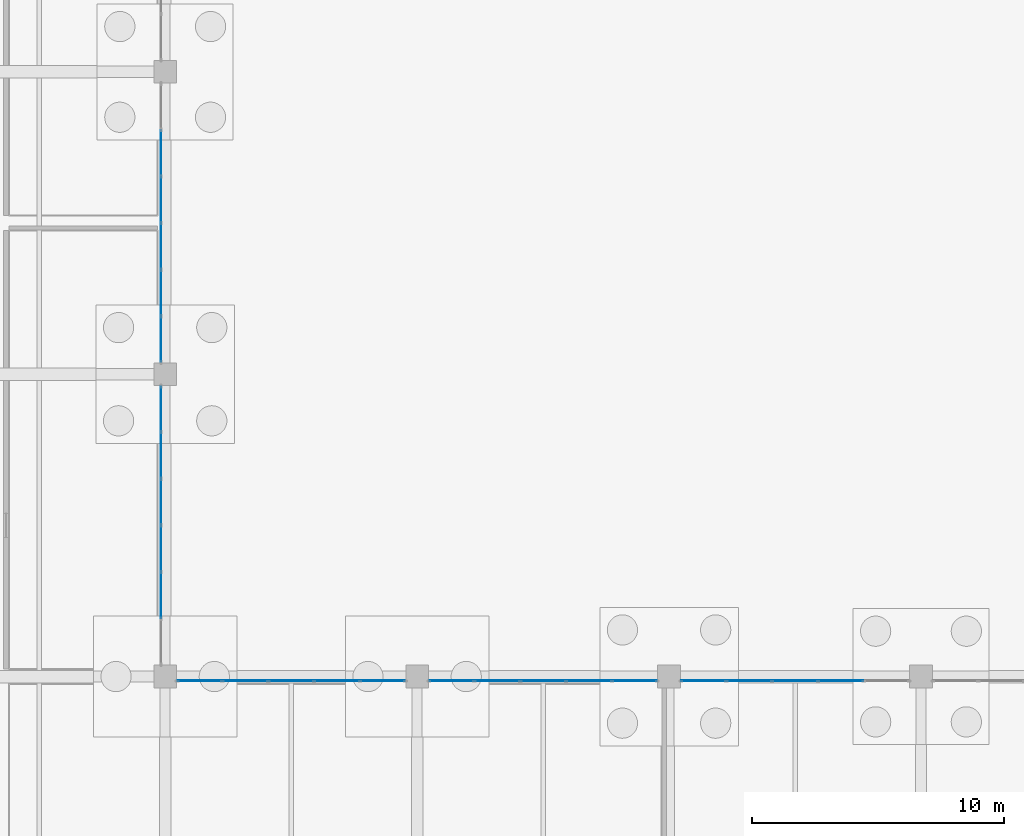
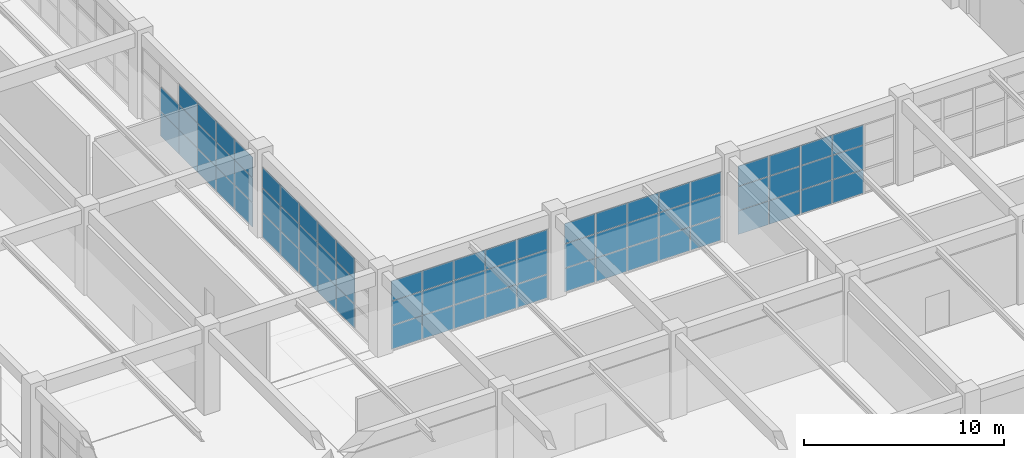
# One storey, part 71 of 99: 71 plates, 5 elements without a shape of their own.
"""IFC4 building model written with IfcOpenShell, lengths in metres."""

from ifc_helpers import new_model, si_unit, direction, frame, origin, origin_2d, place, context, subcontext, project, spatial, rectangle, extrude, material, layer, layer_set, type_object, element, aggregate, save


model = new_model("IFC4")

# Units and contexts
model_context = context("Model", 3, precision=1e-05, world=origin(), true_north=direction((0.0, 1.0)))
body_context = subcontext(model_context, "Body", "Model", "MODEL_VIEW")
ifc_project = project(units=[si_unit("LENGTHUNIT", "METRE"), si_unit("AREAUNIT", "SQUARE_METRE"), si_unit("VOLUMEUNIT", "CUBIC_METRE"), si_unit("PLANEANGLEUNIT", "RADIAN"), si_unit("MASSUNIT", "GRAM", prefix="KILO")], contexts=[model_context])

# Site, building, storey
site_placement = place(None, origin())
site = spatial("IfcSite", under=ifc_project, at=site_placement, CompositionType="ELEMENT")
building_placement = place(site_placement, origin())
building = spatial("IfcBuilding", under=site, at=building_placement, Name="Kivolera Central Railway Station", CompositionType="ELEMENT")
storey_placement = place(building_placement, origin())
storey = spatial("IfcBuildingStorey", under=building, at=storey_placement, Name="L00", CompositionType="ELEMENT", Elevation=0.0)

# Curtain wall, plates
ifc_material_1 = material(Name="Anodised aluminium", Category="aluminium")
ifc_layer_1 = layer(ifc_material_1, 0.179931640625, Name="Anodised aluminium")
ifc_layer_set_1 = layer_set([ifc_layer_1], Name="Anodised aluminium")
curtain_wall_type_1 = type_object("IfcCurtainWallType", Name="CW-SYS-22", PredefinedType="NOTDEFINED", material=ifc_layer_set_1)
curtain_wall_1_placement = place(storey_placement, origin())
curtain_wall_1 = element("IfcCurtainWall", 1, at=curtain_wall_1_placement, inside=storey, type_object=curtain_wall_type_1, Name="L00 Curtain Wall CW-L00-CRTW-G", PredefinedType="NOTDEFINED")
ifc_material_2 = material(Name="Double low-E laminated glass", Category="glass")
ifc_layer_2 = layer(ifc_material_2, 0.02587890625, Name="Double low-E laminated glass")
ifc_layer_set_2 = layer_set([ifc_layer_2], Name="Double low-E laminated glass")
plate_type_1 = type_object("IfcPlateType", Name="CWP-GLZ-1", PredefinedType="CURTAIN_PANEL", material=ifc_layer_set_2)
plate_1_placement = place(storey_placement, frame((137.830078125, 88.6142578125, 0.0478515625), z_axis=(0.0, 0.0, 1.0), x_axis=(0.0, -1.0, 0.0)))
plate_1 = element("IfcPlate", 2, at=plate_1_placement, type_object=plate_type_1, Name="CW-22 panel 1.1", PredefinedType="CURTAIN_PANEL", context=body_context, shape_type="SweptSolid", body=[
    extrude(rectangle(XDim=1.78564453125, YDim=0.02587890625, at=origin_2d()), origin(), (0.0, 0.0, 1.0), 1.459228515625),
])
plate_2_placement = place(storey_placement, frame((137.830078125, 88.6142578125, 1.543212890625), z_axis=(0.0, 0.0, 1.0), x_axis=(0.0, -1.0, 0.0)))
plate_2 = element("IfcPlate", 3, at=plate_2_placement, type_object=plate_type_1, Name="CW-22 panel 1.2", PredefinedType="CURTAIN_PANEL", context=body_context, shape_type="SweptSolid", body=[
    extrude(rectangle(XDim=1.78564453125, YDim=0.02587890625, at=origin_2d()), origin(), (0.0, 0.0, 1.0), 1.4892578125),
])
plate_3_placement = place(storey_placement, frame((137.830078125, 88.6142578125, 3.068359375), z_axis=(0.0, 0.0, 1.0), x_axis=(0.0, -1.0, 0.0)))
plate_3 = element("IfcPlate", 4, at=plate_3_placement, type_object=plate_type_1, Name="CW-22 panel 1.3", PredefinedType="CURTAIN_PANEL", context=body_context, shape_type="SweptSolid", body=[
    extrude(rectangle(XDim=1.78564453125, YDim=0.02587890625, at=origin_2d()), origin(), (0.0, 0.0, 1.0), 1.241455078125),
])
plate_4_placement = place(storey_placement, frame((137.830078125, 86.777587890625, 0.0478515625), z_axis=(0.0, 0.0, 1.0), x_axis=(0.0, -1.0, 0.0)))
plate_4 = element("IfcPlate", 5, at=plate_4_placement, type_object=plate_type_1, Name="CW-22 panel 2.1", PredefinedType="CURTAIN_PANEL", context=body_context, shape_type="SweptSolid", body=[
    extrude(rectangle(XDim=1.815673828125, YDim=0.02587890625, at=origin_2d()), origin(), (0.0, 0.0, 1.0), 1.459228515625),
])
plate_5_placement = place(storey_placement, frame((137.830078125, 86.777587890625, 1.543212890625), z_axis=(0.0, 0.0, 1.0), x_axis=(0.0, -1.0, 0.0)))
plate_5 = element("IfcPlate", 6, at=plate_5_placement, type_object=plate_type_1, Name="CW-22 panel 2.2", PredefinedType="CURTAIN_PANEL", context=body_context, shape_type="SweptSolid", body=[
    extrude(rectangle(XDim=1.815673828125, YDim=0.02587890625, at=origin_2d()), origin(), (0.0, 0.0, 1.0), 1.4892578125),
])
plate_6_placement = place(storey_placement, frame((137.830078125, 86.777587890625, 3.068359375), z_axis=(0.0, 0.0, 1.0), x_axis=(0.0, -1.0, 0.0)))
plate_6 = element("IfcPlate", 7, at=plate_6_placement, type_object=plate_type_1, Name="CW-22 panel 2.3", PredefinedType="CURTAIN_PANEL", context=body_context, shape_type="SweptSolid", body=[
    extrude(rectangle(XDim=1.815673828125, YDim=0.02587890625, at=origin_2d()), origin(), (0.0, 0.0, 1.0), 1.241455078125),
])
plate_7_placement = place(storey_placement, frame((137.830078125, 84.92578125, 0.0478515625), z_axis=(0.0, 0.0, 1.0), x_axis=(0.0, -1.0, 0.0)))
plate_7 = element("IfcPlate", 8, at=plate_7_placement, type_object=plate_type_1, Name="CW-22 panel 3.1", PredefinedType="CURTAIN_PANEL", context=body_context, shape_type="SweptSolid", body=[
    extrude(rectangle(XDim=1.815673828125, YDim=0.02587890625, at=origin_2d()), origin(), (0.0, 0.0, 1.0), 1.459228515625),
])
plate_8_placement = place(storey_placement, frame((137.830078125, 84.92578125, 1.543212890625), z_axis=(0.0, 0.0, 1.0), x_axis=(0.0, -1.0, 0.0)))
plate_8 = element("IfcPlate", 9, at=plate_8_placement, type_object=plate_type_1, Name="CW-22 panel 3.2", PredefinedType="CURTAIN_PANEL", context=body_context, shape_type="SweptSolid", body=[
    extrude(rectangle(XDim=1.815673828125, YDim=0.02587890625, at=origin_2d()), origin(), (0.0, 0.0, 1.0), 1.4892578125),
])
plate_9_placement = place(storey_placement, frame((137.830078125, 84.92578125, 3.068359375), z_axis=(0.0, 0.0, 1.0), x_axis=(0.0, -1.0, 0.0)))
plate_9 = element("IfcPlate", 10, at=plate_9_placement, type_object=plate_type_1, Name="CW-22 panel 3.3", PredefinedType="CURTAIN_PANEL", context=body_context, shape_type="SweptSolid", body=[
    extrude(rectangle(XDim=1.815673828125, YDim=0.02587890625, at=origin_2d()), origin(), (0.0, 0.0, 1.0), 1.241455078125),
])
plate_10_placement = place(storey_placement, frame((137.830078125, 83.07421875, 0.0478515625), z_axis=(0.0, 0.0, 1.0), x_axis=(0.0, -1.0, 0.0)))
plate_10 = element("IfcPlate", 11, at=plate_10_placement, type_object=plate_type_1, Name="CW-22 panel 4.1", PredefinedType="CURTAIN_PANEL", context=body_context, shape_type="SweptSolid", body=[
    extrude(rectangle(XDim=1.815673828125, YDim=0.02587890625, at=origin_2d()), origin(), (0.0, 0.0, 1.0), 1.459228515625),
])
plate_11_placement = place(storey_placement, frame((137.830078125, 83.07421875, 1.543212890625), z_axis=(0.0, 0.0, 1.0), x_axis=(0.0, -1.0, 0.0)))
plate_11 = element("IfcPlate", 12, at=plate_11_placement, type_object=plate_type_1, Name="CW-22 panel 4.2", PredefinedType="CURTAIN_PANEL", context=body_context, shape_type="SweptSolid", body=[
    extrude(rectangle(XDim=1.815673828125, YDim=0.02587890625, at=origin_2d()), origin(), (0.0, 0.0, 1.0), 1.4892578125),
])
plate_12_placement = place(storey_placement, frame((137.830078125, 83.07421875, 3.068359375), z_axis=(0.0, 0.0, 1.0), x_axis=(0.0, -1.0, 0.0)))
plate_12 = element("IfcPlate", 13, at=plate_12_placement, type_object=plate_type_1, Name="CW-22 panel 4.3", PredefinedType="CURTAIN_PANEL", context=body_context, shape_type="SweptSolid", body=[
    extrude(rectangle(XDim=1.815673828125, YDim=0.02587890625, at=origin_2d()), origin(), (0.0, 0.0, 1.0), 1.241455078125),
])
plate_13_placement = place(storey_placement, frame((137.830078125, 81.222412109375, 0.0478515625), z_axis=(0.0, 0.0, 1.0), x_axis=(0.0, -1.0, 0.0)))
plate_13 = element("IfcPlate", 14, at=plate_13_placement, type_object=plate_type_1, Name="CW-22 panel 5.1", PredefinedType="CURTAIN_PANEL", context=body_context, shape_type="SweptSolid", body=[
    extrude(rectangle(XDim=1.815673828125, YDim=0.02587890625, at=origin_2d()), origin(), (0.0, 0.0, 1.0), 1.459228515625),
])
plate_14_placement = place(storey_placement, frame((137.830078125, 81.222412109375, 1.543212890625), z_axis=(0.0, 0.0, 1.0), x_axis=(0.0, -1.0, 0.0)))
plate_14 = element("IfcPlate", 15, at=plate_14_placement, type_object=plate_type_1, Name="CW-22 panel 5.2", PredefinedType="CURTAIN_PANEL", context=body_context, shape_type="SweptSolid", body=[
    extrude(rectangle(XDim=1.815673828125, YDim=0.02587890625, at=origin_2d()), origin(), (0.0, 0.0, 1.0), 1.4892578125),
])
plate_15_placement = place(storey_placement, frame((137.830078125, 81.222412109375, 3.068359375), z_axis=(0.0, 0.0, 1.0), x_axis=(0.0, -1.0, 0.0)))
plate_15 = element("IfcPlate", 16, at=plate_15_placement, type_object=plate_type_1, Name="CW-22 panel 5.3", PredefinedType="CURTAIN_PANEL", context=body_context, shape_type="SweptSolid", body=[
    extrude(rectangle(XDim=1.815673828125, YDim=0.02587890625, at=origin_2d()), origin(), (0.0, 0.0, 1.0), 1.241455078125),
])
aggregate(curtain_wall_1, [plate_1, plate_2, plate_3, plate_4, plate_5, plate_6, plate_7, plate_8, plate_9, plate_10, plate_11, plate_12, plate_13, plate_14, plate_15])

curtain_wall_2_placement = place(storey_placement, origin())
curtain_wall_2 = element("IfcCurtainWall", 17, at=curtain_wall_2_placement, inside=storey, type_object=curtain_wall_type_1, Name="L00 Curtain Wall CW-L00-CRTW-H", PredefinedType="NOTDEFINED")
plate_16_placement = place(storey_placement, frame((137.830078125, 98.777587890625, 0.0478515625), z_axis=(0.0, 0.0, 1.0), x_axis=(0.0, -1.0, 0.0)))
plate_16 = element("IfcPlate", 18, at=plate_16_placement, type_object=plate_type_1, Name="CW-22 panel 2.1", PredefinedType="CURTAIN_PANEL", context=body_context, shape_type="SweptSolid", body=[
    extrude(rectangle(XDim=1.815673828125, YDim=0.02587890625, at=origin_2d()), origin(), (0.0, 0.0, 1.0), 1.459228515625),
])
plate_17_placement = place(storey_placement, frame((137.830078125, 98.777587890625, 1.543212890625), z_axis=(0.0, 0.0, 1.0), x_axis=(0.0, -1.0, 0.0)))
plate_17 = element("IfcPlate", 19, at=plate_17_placement, type_object=plate_type_1, Name="CW-22 panel 2.2", PredefinedType="CURTAIN_PANEL", context=body_context, shape_type="SweptSolid", body=[
    extrude(rectangle(XDim=1.815673828125, YDim=0.02587890625, at=origin_2d()), origin(), (0.0, 0.0, 1.0), 1.4892578125),
])
plate_18_placement = place(storey_placement, frame((137.830078125, 96.92578125, 0.0478515625), z_axis=(0.0, 0.0, 1.0), x_axis=(0.0, -1.0, 0.0)))
plate_18 = element("IfcPlate", 20, at=plate_18_placement, type_object=plate_type_1, Name="CW-22 panel 3.1", PredefinedType="CURTAIN_PANEL", context=body_context, shape_type="SweptSolid", body=[
    extrude(rectangle(XDim=1.815673828125, YDim=0.02587890625, at=origin_2d()), origin(), (0.0, 0.0, 1.0), 1.459228515625),
])
plate_19_placement = place(storey_placement, frame((137.830078125, 96.92578125, 1.543212890625), z_axis=(0.0, 0.0, 1.0), x_axis=(0.0, -1.0, 0.0)))
plate_19 = element("IfcPlate", 21, at=plate_19_placement, type_object=plate_type_1, Name="CW-22 panel 3.2", PredefinedType="CURTAIN_PANEL", context=body_context, shape_type="SweptSolid", body=[
    extrude(rectangle(XDim=1.815673828125, YDim=0.02587890625, at=origin_2d()), origin(), (0.0, 0.0, 1.0), 1.4892578125),
])
plate_20_placement = place(storey_placement, frame((137.830078125, 96.92578125, 3.068359375), z_axis=(0.0, 0.0, 1.0), x_axis=(0.0, -1.0, 0.0)))
plate_20 = element("IfcPlate", 22, at=plate_20_placement, type_object=plate_type_1, Name="CW-22 panel 3.3", PredefinedType="CURTAIN_PANEL", context=body_context, shape_type="SweptSolid", body=[
    extrude(rectangle(XDim=1.815673828125, YDim=0.02587890625, at=origin_2d()), origin(), (0.0, 0.0, 1.0), 1.241455078125),
])
plate_21_placement = place(storey_placement, frame((137.830078125, 95.07421875, 0.0478515625), z_axis=(0.0, 0.0, 1.0), x_axis=(0.0, -1.0, 0.0)))
plate_21 = element("IfcPlate", 23, at=plate_21_placement, type_object=plate_type_1, Name="CW-22 panel 4.1", PredefinedType="CURTAIN_PANEL", context=body_context, shape_type="SweptSolid", body=[
    extrude(rectangle(XDim=1.815673828125, YDim=0.02587890625, at=origin_2d()), origin(), (0.0, 0.0, 1.0), 1.459228515625),
])
plate_22_placement = place(storey_placement, frame((137.830078125, 95.07421875, 1.543212890625), z_axis=(0.0, 0.0, 1.0), x_axis=(0.0, -1.0, 0.0)))
plate_22 = element("IfcPlate", 24, at=plate_22_placement, type_object=plate_type_1, Name="CW-22 panel 4.2", PredefinedType="CURTAIN_PANEL", context=body_context, shape_type="SweptSolid", body=[
    extrude(rectangle(XDim=1.815673828125, YDim=0.02587890625, at=origin_2d()), origin(), (0.0, 0.0, 1.0), 1.4892578125),
])
plate_23_placement = place(storey_placement, frame((137.830078125, 95.07421875, 3.068359375), z_axis=(0.0, 0.0, 1.0), x_axis=(0.0, -1.0, 0.0)))
plate_23 = element("IfcPlate", 25, at=plate_23_placement, type_object=plate_type_1, Name="CW-22 panel 4.3", PredefinedType="CURTAIN_PANEL", context=body_context, shape_type="SweptSolid", body=[
    extrude(rectangle(XDim=1.815673828125, YDim=0.02587890625, at=origin_2d()), origin(), (0.0, 0.0, 1.0), 1.241455078125),
])
plate_24_placement = place(storey_placement, frame((137.830078125, 93.222412109375, 0.0478515625), z_axis=(0.0, 0.0, 1.0), x_axis=(0.0, -1.0, 0.0)))
plate_24 = element("IfcPlate", 26, at=plate_24_placement, type_object=plate_type_1, Name="CW-22 panel 5.1", PredefinedType="CURTAIN_PANEL", context=body_context, shape_type="SweptSolid", body=[
    extrude(rectangle(XDim=1.815673828125, YDim=0.02587890625, at=origin_2d()), origin(), (0.0, 0.0, 1.0), 1.459228515625),
])
plate_25_placement = place(storey_placement, frame((137.830078125, 93.222412109375, 1.543212890625), z_axis=(0.0, 0.0, 1.0), x_axis=(0.0, -1.0, 0.0)))
plate_25 = element("IfcPlate", 27, at=plate_25_placement, type_object=plate_type_1, Name="CW-22 panel 5.2", PredefinedType="CURTAIN_PANEL", context=body_context, shape_type="SweptSolid", body=[
    extrude(rectangle(XDim=1.815673828125, YDim=0.02587890625, at=origin_2d()), origin(), (0.0, 0.0, 1.0), 1.4892578125),
])
plate_26_placement = place(storey_placement, frame((137.830078125, 93.222412109375, 3.068359375), z_axis=(0.0, 0.0, 1.0), x_axis=(0.0, -1.0, 0.0)))
plate_26 = element("IfcPlate", 28, at=plate_26_placement, type_object=plate_type_1, Name="CW-22 panel 5.3", PredefinedType="CURTAIN_PANEL", context=body_context, shape_type="SweptSolid", body=[
    extrude(rectangle(XDim=1.815673828125, YDim=0.02587890625, at=origin_2d()), origin(), (0.0, 0.0, 1.0), 1.241455078125),
])
plate_27_placement = place(storey_placement, frame((137.830078125, 91.3857421875, 0.0478515625), z_axis=(0.0, 0.0, 1.0), x_axis=(0.0, -1.0, 0.0)))
plate_27 = element("IfcPlate", 29, at=plate_27_placement, type_object=plate_type_1, Name="CW-22 panel 6.1", PredefinedType="CURTAIN_PANEL", context=body_context, shape_type="SweptSolid", body=[
    extrude(rectangle(XDim=1.78564453125, YDim=0.02587890625, at=origin_2d()), origin(), (0.0, 0.0, 1.0), 1.459228515625),
])
plate_28_placement = place(storey_placement, frame((137.830078125, 91.3857421875, 1.543212890625), z_axis=(0.0, 0.0, 1.0), x_axis=(0.0, -1.0, 0.0)))
plate_28 = element("IfcPlate", 30, at=plate_28_placement, type_object=plate_type_1, Name="CW-22 panel 6.2", PredefinedType="CURTAIN_PANEL", context=body_context, shape_type="SweptSolid", body=[
    extrude(rectangle(XDim=1.78564453125, YDim=0.02587890625, at=origin_2d()), origin(), (0.0, 0.0, 1.0), 1.4892578125),
])
plate_29_placement = place(storey_placement, frame((137.830078125, 91.3857421875, 3.068359375), z_axis=(0.0, 0.0, 1.0), x_axis=(0.0, -1.0, 0.0)))
plate_29 = element("IfcPlate", 31, at=plate_29_placement, type_object=plate_type_1, Name="CW-22 panel 6.3", PredefinedType="CURTAIN_PANEL", context=body_context, shape_type="SweptSolid", body=[
    extrude(rectangle(XDim=1.78564453125, YDim=0.02587890625, at=origin_2d()), origin(), (0.0, 0.0, 1.0), 1.241455078125),
])
aggregate(curtain_wall_2, [plate_16, plate_17, plate_18, plate_19, plate_20, plate_21, plate_22, plate_23, plate_24, plate_25, plate_26, plate_27, plate_28, plate_29])

ifc_layer_3 = layer(ifc_material_1, 0.179931640625, Name="Anodised aluminium")
ifc_layer_set_3 = layer_set([ifc_layer_3], Name="Anodised aluminium")
curtain_wall_type_2 = type_object("IfcCurtainWallType", Name="CW-SYS-21", PredefinedType="NOTDEFINED", material=ifc_layer_set_3)
curtain_wall_3_placement = place(storey_placement, origin())
curtain_wall_3 = element("IfcCurtainWall", 32, at=curtain_wall_3_placement, inside=storey, type_object=curtain_wall_type_2, Name="L00 Curtain Wall CW-L00-CRTS-138", PredefinedType="NOTDEFINED")
ifc_layer_4 = layer(ifc_material_2, 0.033935546875, Name="Double low-E laminated glass")
ifc_layer_set_4 = layer_set([ifc_layer_4], Name="Double low-E laminated glass")
plate_type_2 = type_object("IfcPlateType", Name="CWP-GLZ-3", PredefinedType="CURTAIN_PANEL", material=ifc_layer_set_4)
plate_30_placement = place(storey_placement, frame((139.37109375, 77.830078125, 0.048095703125), z_axis=(0.0, 0.0, 1.0), x_axis=(1.0, 0.0, 0.0)))
plate_30 = element("IfcPlate", 33, at=plate_30_placement, type_object=plate_type_2, Name="CW-21 panel 1.1", PredefinedType="CURTAIN_PANEL", context=body_context, shape_type="SweptSolid", body=[
    extrude(rectangle(XDim=1.756103515625, YDim=0.033935546875, at=origin_2d()), origin(), (0.0, 0.0, 1.0), 1.42431640625),
])
plate_31_placement = place(storey_placement, frame((139.37109375, 77.830078125, 1.50830078125), z_axis=(0.0, 0.0, 1.0), x_axis=(1.0, 0.0, 0.0)))
plate_31 = element("IfcPlate", 34, at=plate_31_placement, type_object=plate_type_2, Name="CW-21 panel 1.2", PredefinedType="CURTAIN_PANEL", context=body_context, shape_type="SweptSolid", body=[
    extrude(rectangle(XDim=1.756103515625, YDim=0.033935546875, at=origin_2d()), origin(), (0.0, 0.0, 1.0), 1.454345703125),
])
plate_32_placement = place(storey_placement, frame((139.37109375, 77.830078125, 2.99853515625), z_axis=(0.0, 0.0, 1.0), x_axis=(1.0, 0.0, 0.0)))
plate_32 = element("IfcPlate", 35, at=plate_32_placement, type_object=plate_type_2, Name="CW-21 panel 1.3", PredefinedType="CURTAIN_PANEL", context=body_context, shape_type="SweptSolid", body=[
    extrude(rectangle(XDim=1.756103515625, YDim=0.033935546875, at=origin_2d()), origin(), (0.0, 0.0, 1.0), 1.21142578125),
])
plate_33_placement = place(storey_placement, frame((141.177978515625, 77.830078125, 0.048095703125), z_axis=(0.0, 0.0, 1.0), x_axis=(1.0, 0.0, 0.0)))
plate_33 = element("IfcPlate", 36, at=plate_33_placement, type_object=plate_type_2, Name="CW-21 panel 2.1", PredefinedType="CURTAIN_PANEL", context=body_context, shape_type="SweptSolid", body=[
    extrude(rectangle(XDim=1.785888671875, YDim=0.033935546875, at=origin_2d()), origin(), (0.0, 0.0, 1.0), 1.42431640625),
])
plate_34_placement = place(storey_placement, frame((141.177978515625, 77.830078125, 1.50830078125), z_axis=(0.0, 0.0, 1.0), x_axis=(1.0, 0.0, 0.0)))
plate_34 = element("IfcPlate", 37, at=plate_34_placement, type_object=plate_type_2, Name="CW-21 panel 2.2", PredefinedType="CURTAIN_PANEL", context=body_context, shape_type="SweptSolid", body=[
    extrude(rectangle(XDim=1.785888671875, YDim=0.033935546875, at=origin_2d()), origin(), (0.0, 0.0, 1.0), 1.454345703125),
])
plate_35_placement = place(storey_placement, frame((141.177978515625, 77.830078125, 2.99853515625), z_axis=(0.0, 0.0, 1.0), x_axis=(1.0, 0.0, 0.0)))
plate_35 = element("IfcPlate", 38, at=plate_35_placement, type_object=plate_type_2, Name="CW-21 panel 2.3", PredefinedType="CURTAIN_PANEL", context=body_context, shape_type="SweptSolid", body=[
    extrude(rectangle(XDim=1.785888671875, YDim=0.033935546875, at=origin_2d()), origin(), (0.0, 0.0, 1.0), 1.21142578125),
])
plate_36_placement = place(storey_placement, frame((143.0, 77.830078125, 0.048095703125), z_axis=(0.0, 0.0, 1.0), x_axis=(1.0, 0.0, 0.0)))
plate_36 = element("IfcPlate", 39, at=plate_36_placement, type_object=plate_type_2, Name="CW-21 panel 3.1", PredefinedType="CURTAIN_PANEL", context=body_context, shape_type="SweptSolid", body=[
    extrude(rectangle(XDim=1.785888671875, YDim=0.033935546875, at=origin_2d()), origin(), (0.0, 0.0, 1.0), 1.42431640625),
])
plate_37_placement = place(storey_placement, frame((143.0, 77.830078125, 1.50830078125), z_axis=(0.0, 0.0, 1.0), x_axis=(1.0, 0.0, 0.0)))
plate_37 = element("IfcPlate", 40, at=plate_37_placement, type_object=plate_type_2, Name="CW-21 panel 3.2", PredefinedType="CURTAIN_PANEL", context=body_context, shape_type="SweptSolid", body=[
    extrude(rectangle(XDim=1.785888671875, YDim=0.033935546875, at=origin_2d()), origin(), (0.0, 0.0, 1.0), 1.454345703125),
])
plate_38_placement = place(storey_placement, frame((143.0, 77.830078125, 2.99853515625), z_axis=(0.0, 0.0, 1.0), x_axis=(1.0, 0.0, 0.0)))
plate_38 = element("IfcPlate", 41, at=plate_38_placement, type_object=plate_type_2, Name="CW-21 panel 3.3", PredefinedType="CURTAIN_PANEL", context=body_context, shape_type="SweptSolid", body=[
    extrude(rectangle(XDim=1.785888671875, YDim=0.033935546875, at=origin_2d()), origin(), (0.0, 0.0, 1.0), 1.21142578125),
])
plate_39_placement = place(storey_placement, frame((144.822021484375, 77.830078125, 0.048095703125), z_axis=(0.0, 0.0, 1.0), x_axis=(1.0, 0.0, 0.0)))
plate_39 = element("IfcPlate", 42, at=plate_39_placement, type_object=plate_type_2, Name="CW-21 panel 4.1", PredefinedType="CURTAIN_PANEL", context=body_context, shape_type="SweptSolid", body=[
    extrude(rectangle(XDim=1.785888671875, YDim=0.033935546875, at=origin_2d()), origin(), (0.0, 0.0, 1.0), 1.42431640625),
])
plate_40_placement = place(storey_placement, frame((144.822021484375, 77.830078125, 1.50830078125), z_axis=(0.0, 0.0, 1.0), x_axis=(1.0, 0.0, 0.0)))
plate_40 = element("IfcPlate", 43, at=plate_40_placement, type_object=plate_type_2, Name="CW-21 panel 4.2", PredefinedType="CURTAIN_PANEL", context=body_context, shape_type="SweptSolid", body=[
    extrude(rectangle(XDim=1.785888671875, YDim=0.033935546875, at=origin_2d()), origin(), (0.0, 0.0, 1.0), 1.454345703125),
])
plate_41_placement = place(storey_placement, frame((144.822021484375, 77.830078125, 2.99853515625), z_axis=(0.0, 0.0, 1.0), x_axis=(1.0, 0.0, 0.0)))
plate_41 = element("IfcPlate", 44, at=plate_41_placement, type_object=plate_type_2, Name="CW-21 panel 4.3", PredefinedType="CURTAIN_PANEL", context=body_context, shape_type="SweptSolid", body=[
    extrude(rectangle(XDim=1.785888671875, YDim=0.033935546875, at=origin_2d()), origin(), (0.0, 0.0, 1.0), 1.21142578125),
])
plate_42_placement = place(storey_placement, frame((146.62890625, 77.830078125, 0.048095703125), z_axis=(0.0, 0.0, 1.0), x_axis=(1.0, 0.0, 0.0)))
plate_42 = element("IfcPlate", 45, at=plate_42_placement, type_object=plate_type_2, Name="CW-21 panel 5.1", PredefinedType="CURTAIN_PANEL", context=body_context, shape_type="SweptSolid", body=[
    extrude(rectangle(XDim=1.756103515625, YDim=0.033935546875, at=origin_2d()), origin(), (0.0, 0.0, 1.0), 1.42431640625),
])
plate_43_placement = place(storey_placement, frame((146.62890625, 77.830078125, 1.50830078125), z_axis=(0.0, 0.0, 1.0), x_axis=(1.0, 0.0, 0.0)))
plate_43 = element("IfcPlate", 46, at=plate_43_placement, type_object=plate_type_2, Name="CW-21 panel 5.2", PredefinedType="CURTAIN_PANEL", context=body_context, shape_type="SweptSolid", body=[
    extrude(rectangle(XDim=1.756103515625, YDim=0.033935546875, at=origin_2d()), origin(), (0.0, 0.0, 1.0), 1.454345703125),
])
plate_44_placement = place(storey_placement, frame((146.62890625, 77.830078125, 2.99853515625), z_axis=(0.0, 0.0, 1.0), x_axis=(1.0, 0.0, 0.0)))
plate_44 = element("IfcPlate", 47, at=plate_44_placement, type_object=plate_type_2, Name="CW-21 panel 5.3", PredefinedType="CURTAIN_PANEL", context=body_context, shape_type="SweptSolid", body=[
    extrude(rectangle(XDim=1.756103515625, YDim=0.033935546875, at=origin_2d()), origin(), (0.0, 0.0, 1.0), 1.21142578125),
])
aggregate(curtain_wall_3, [plate_30, plate_31, plate_32, plate_33, plate_34, plate_35, plate_36, plate_37, plate_38, plate_39, plate_40, plate_41, plate_42, plate_43, plate_44])

curtain_wall_4_placement = place(storey_placement, origin())
curtain_wall_4 = element("IfcCurtainWall", 48, at=curtain_wall_4_placement, inside=storey, type_object=curtain_wall_type_2, Name="L00 Curtain Wall CW-L00-CRTS-148", PredefinedType="NOTDEFINED")
plate_45_placement = place(storey_placement, frame((149.37109375, 77.830078125, 0.048095703125), z_axis=(0.0, 0.0, 1.0), x_axis=(1.0, 0.0, 0.0)))
plate_45 = element("IfcPlate", 49, at=plate_45_placement, type_object=plate_type_2, Name="CW-21 panel 1.1", PredefinedType="CURTAIN_PANEL", context=body_context, shape_type="SweptSolid", body=[
    extrude(rectangle(XDim=1.756103515625, YDim=0.033935546875, at=origin_2d()), origin(), (0.0, 0.0, 1.0), 1.42431640625),
])
plate_46_placement = place(storey_placement, frame((149.37109375, 77.830078125, 1.50830078125), z_axis=(0.0, 0.0, 1.0), x_axis=(1.0, 0.0, 0.0)))
plate_46 = element("IfcPlate", 50, at=plate_46_placement, type_object=plate_type_2, Name="CW-21 panel 1.2", PredefinedType="CURTAIN_PANEL", context=body_context, shape_type="SweptSolid", body=[
    extrude(rectangle(XDim=1.756103515625, YDim=0.033935546875, at=origin_2d()), origin(), (0.0, 0.0, 1.0), 1.454345703125),
])
plate_47_placement = place(storey_placement, frame((149.37109375, 77.830078125, 2.99853515625), z_axis=(0.0, 0.0, 1.0), x_axis=(1.0, 0.0, 0.0)))
plate_47 = element("IfcPlate", 51, at=plate_47_placement, type_object=plate_type_2, Name="CW-21 panel 1.3", PredefinedType="CURTAIN_PANEL", context=body_context, shape_type="SweptSolid", body=[
    extrude(rectangle(XDim=1.756103515625, YDim=0.033935546875, at=origin_2d()), origin(), (0.0, 0.0, 1.0), 1.21142578125),
])
plate_48_placement = place(storey_placement, frame((151.177978515625, 77.830078125, 0.048095703125), z_axis=(0.0, 0.0, 1.0), x_axis=(1.0, 0.0, 0.0)))
plate_48 = element("IfcPlate", 52, at=plate_48_placement, type_object=plate_type_2, Name="CW-21 panel 2.1", PredefinedType="CURTAIN_PANEL", context=body_context, shape_type="SweptSolid", body=[
    extrude(rectangle(XDim=1.785888671875, YDim=0.033935546875, at=origin_2d()), origin(), (0.0, 0.0, 1.0), 1.42431640625),
])
plate_49_placement = place(storey_placement, frame((151.177978515625, 77.830078125, 1.50830078125), z_axis=(0.0, 0.0, 1.0), x_axis=(1.0, 0.0, 0.0)))
plate_49 = element("IfcPlate", 53, at=plate_49_placement, type_object=plate_type_2, Name="CW-21 panel 2.2", PredefinedType="CURTAIN_PANEL", context=body_context, shape_type="SweptSolid", body=[
    extrude(rectangle(XDim=1.785888671875, YDim=0.033935546875, at=origin_2d()), origin(), (0.0, 0.0, 1.0), 1.454345703125),
])
plate_50_placement = place(storey_placement, frame((151.177978515625, 77.830078125, 2.99853515625), z_axis=(0.0, 0.0, 1.0), x_axis=(1.0, 0.0, 0.0)))
plate_50 = element("IfcPlate", 54, at=plate_50_placement, type_object=plate_type_2, Name="CW-21 panel 2.3", PredefinedType="CURTAIN_PANEL", context=body_context, shape_type="SweptSolid", body=[
    extrude(rectangle(XDim=1.785888671875, YDim=0.033935546875, at=origin_2d()), origin(), (0.0, 0.0, 1.0), 1.21142578125),
])
plate_51_placement = place(storey_placement, frame((153.0, 77.830078125, 0.048095703125), z_axis=(0.0, 0.0, 1.0), x_axis=(1.0, 0.0, 0.0)))
plate_51 = element("IfcPlate", 55, at=plate_51_placement, type_object=plate_type_2, Name="CW-21 panel 3.1", PredefinedType="CURTAIN_PANEL", context=body_context, shape_type="SweptSolid", body=[
    extrude(rectangle(XDim=1.785888671875, YDim=0.033935546875, at=origin_2d()), origin(), (0.0, 0.0, 1.0), 1.42431640625),
])
plate_52_placement = place(storey_placement, frame((153.0, 77.830078125, 1.50830078125), z_axis=(0.0, 0.0, 1.0), x_axis=(1.0, 0.0, 0.0)))
plate_52 = element("IfcPlate", 56, at=plate_52_placement, type_object=plate_type_2, Name="CW-21 panel 3.2", PredefinedType="CURTAIN_PANEL", context=body_context, shape_type="SweptSolid", body=[
    extrude(rectangle(XDim=1.785888671875, YDim=0.033935546875, at=origin_2d()), origin(), (0.0, 0.0, 1.0), 1.454345703125),
])
plate_53_placement = place(storey_placement, frame((153.0, 77.830078125, 2.99853515625), z_axis=(0.0, 0.0, 1.0), x_axis=(1.0, 0.0, 0.0)))
plate_53 = element("IfcPlate", 57, at=plate_53_placement, type_object=plate_type_2, Name="CW-21 panel 3.3", PredefinedType="CURTAIN_PANEL", context=body_context, shape_type="SweptSolid", body=[
    extrude(rectangle(XDim=1.785888671875, YDim=0.033935546875, at=origin_2d()), origin(), (0.0, 0.0, 1.0), 1.21142578125),
])
plate_54_placement = place(storey_placement, frame((154.822021484375, 77.830078125, 0.048095703125), z_axis=(0.0, 0.0, 1.0), x_axis=(1.0, 0.0, 0.0)))
plate_54 = element("IfcPlate", 58, at=plate_54_placement, type_object=plate_type_2, Name="CW-21 panel 4.1", PredefinedType="CURTAIN_PANEL", context=body_context, shape_type="SweptSolid", body=[
    extrude(rectangle(XDim=1.785888671875, YDim=0.033935546875, at=origin_2d()), origin(), (0.0, 0.0, 1.0), 1.42431640625),
])
plate_55_placement = place(storey_placement, frame((154.822021484375, 77.830078125, 1.50830078125), z_axis=(0.0, 0.0, 1.0), x_axis=(1.0, 0.0, 0.0)))
plate_55 = element("IfcPlate", 59, at=plate_55_placement, type_object=plate_type_2, Name="CW-21 panel 4.2", PredefinedType="CURTAIN_PANEL", context=body_context, shape_type="SweptSolid", body=[
    extrude(rectangle(XDim=1.785888671875, YDim=0.033935546875, at=origin_2d()), origin(), (0.0, 0.0, 1.0), 1.454345703125),
])
plate_56_placement = place(storey_placement, frame((154.822021484375, 77.830078125, 2.99853515625), z_axis=(0.0, 0.0, 1.0), x_axis=(1.0, 0.0, 0.0)))
plate_56 = element("IfcPlate", 60, at=plate_56_placement, type_object=plate_type_2, Name="CW-21 panel 4.3", PredefinedType="CURTAIN_PANEL", context=body_context, shape_type="SweptSolid", body=[
    extrude(rectangle(XDim=1.785888671875, YDim=0.033935546875, at=origin_2d()), origin(), (0.0, 0.0, 1.0), 1.21142578125),
])
plate_57_placement = place(storey_placement, frame((156.62890625, 77.830078125, 0.048095703125), z_axis=(0.0, 0.0, 1.0), x_axis=(1.0, 0.0, 0.0)))
plate_57 = element("IfcPlate", 61, at=plate_57_placement, type_object=plate_type_2, Name="CW-21 panel 5.1", PredefinedType="CURTAIN_PANEL", context=body_context, shape_type="SweptSolid", body=[
    extrude(rectangle(XDim=1.756103515625, YDim=0.033935546875, at=origin_2d()), origin(), (0.0, 0.0, 1.0), 1.42431640625),
])
plate_58_placement = place(storey_placement, frame((156.62890625, 77.830078125, 1.50830078125), z_axis=(0.0, 0.0, 1.0), x_axis=(1.0, 0.0, 0.0)))
plate_58 = element("IfcPlate", 62, at=plate_58_placement, type_object=plate_type_2, Name="CW-21 panel 5.2", PredefinedType="CURTAIN_PANEL", context=body_context, shape_type="SweptSolid", body=[
    extrude(rectangle(XDim=1.756103515625, YDim=0.033935546875, at=origin_2d()), origin(), (0.0, 0.0, 1.0), 1.454345703125),
])
plate_59_placement = place(storey_placement, frame((156.62890625, 77.830078125, 2.99853515625), z_axis=(0.0, 0.0, 1.0), x_axis=(1.0, 0.0, 0.0)))
plate_59 = element("IfcPlate", 63, at=plate_59_placement, type_object=plate_type_2, Name="CW-21 panel 5.3", PredefinedType="CURTAIN_PANEL", context=body_context, shape_type="SweptSolid", body=[
    extrude(rectangle(XDim=1.756103515625, YDim=0.033935546875, at=origin_2d()), origin(), (0.0, 0.0, 1.0), 1.21142578125),
])
aggregate(curtain_wall_4, [plate_45, plate_46, plate_47, plate_48, plate_49, plate_50, plate_51, plate_52, plate_53, plate_54, plate_55, plate_56, plate_57, plate_58, plate_59])

curtain_wall_5_placement = place(storey_placement, origin())
curtain_wall_5 = element("IfcCurtainWall", 64, at=curtain_wall_5_placement, inside=storey, type_object=curtain_wall_type_2, Name="L00 Curtain Wall CW-L00-CRTS-158", PredefinedType="NOTDEFINED")
plate_60_placement = place(storey_placement, frame((159.37109375, 77.830078125, 0.048095703125), z_axis=(0.0, 0.0, 1.0), x_axis=(1.0, 0.0, 0.0)))
plate_60 = element("IfcPlate", 65, at=plate_60_placement, type_object=plate_type_2, Name="CW-21 panel 1.1", PredefinedType="CURTAIN_PANEL", context=body_context, shape_type="SweptSolid", body=[
    extrude(rectangle(XDim=1.756103515625, YDim=0.033935546875, at=origin_2d()), origin(), (0.0, 0.0, 1.0), 1.42431640625),
])
plate_61_placement = place(storey_placement, frame((159.37109375, 77.830078125, 1.50830078125), z_axis=(0.0, 0.0, 1.0), x_axis=(1.0, 0.0, 0.0)))
plate_61 = element("IfcPlate", 66, at=plate_61_placement, type_object=plate_type_2, Name="CW-21 panel 1.2", PredefinedType="CURTAIN_PANEL", context=body_context, shape_type="SweptSolid", body=[
    extrude(rectangle(XDim=1.756103515625, YDim=0.033935546875, at=origin_2d()), origin(), (0.0, 0.0, 1.0), 1.454345703125),
])
plate_62_placement = place(storey_placement, frame((159.37109375, 77.830078125, 2.99853515625), z_axis=(0.0, 0.0, 1.0), x_axis=(1.0, 0.0, 0.0)))
plate_62 = element("IfcPlate", 67, at=plate_62_placement, type_object=plate_type_2, Name="CW-21 panel 1.3", PredefinedType="CURTAIN_PANEL", context=body_context, shape_type="SweptSolid", body=[
    extrude(rectangle(XDim=1.756103515625, YDim=0.033935546875, at=origin_2d()), origin(), (0.0, 0.0, 1.0), 1.21142578125),
])
plate_63_placement = place(storey_placement, frame((161.177978515625, 77.830078125, 0.048095703125), z_axis=(0.0, 0.0, 1.0), x_axis=(1.0, 0.0, 0.0)))
plate_63 = element("IfcPlate", 68, at=plate_63_placement, type_object=plate_type_2, Name="CW-21 panel 2.1", PredefinedType="CURTAIN_PANEL", context=body_context, shape_type="SweptSolid", body=[
    extrude(rectangle(XDim=1.785888671875, YDim=0.033935546875, at=origin_2d()), origin(), (0.0, 0.0, 1.0), 1.42431640625),
])
plate_64_placement = place(storey_placement, frame((161.177978515625, 77.830078125, 1.50830078125), z_axis=(0.0, 0.0, 1.0), x_axis=(1.0, 0.0, 0.0)))
plate_64 = element("IfcPlate", 69, at=plate_64_placement, type_object=plate_type_2, Name="CW-21 panel 2.2", PredefinedType="CURTAIN_PANEL", context=body_context, shape_type="SweptSolid", body=[
    extrude(rectangle(XDim=1.785888671875, YDim=0.033935546875, at=origin_2d()), origin(), (0.0, 0.0, 1.0), 1.454345703125),
])
plate_65_placement = place(storey_placement, frame((161.177978515625, 77.830078125, 2.99853515625), z_axis=(0.0, 0.0, 1.0), x_axis=(1.0, 0.0, 0.0)))
plate_65 = element("IfcPlate", 70, at=plate_65_placement, type_object=plate_type_2, Name="CW-21 panel 2.3", PredefinedType="CURTAIN_PANEL", context=body_context, shape_type="SweptSolid", body=[
    extrude(rectangle(XDim=1.785888671875, YDim=0.033935546875, at=origin_2d()), origin(), (0.0, 0.0, 1.0), 1.21142578125),
])
plate_66_placement = place(storey_placement, frame((163.0, 77.830078125, 0.048095703125), z_axis=(0.0, 0.0, 1.0), x_axis=(1.0, 0.0, 0.0)))
plate_66 = element("IfcPlate", 71, at=plate_66_placement, type_object=plate_type_2, Name="CW-21 panel 3.1", PredefinedType="CURTAIN_PANEL", context=body_context, shape_type="SweptSolid", body=[
    extrude(rectangle(XDim=1.785888671875, YDim=0.033935546875, at=origin_2d()), origin(), (0.0, 0.0, 1.0), 1.42431640625),
])
plate_67_placement = place(storey_placement, frame((163.0, 77.830078125, 1.50830078125), z_axis=(0.0, 0.0, 1.0), x_axis=(1.0, 0.0, 0.0)))
plate_67 = element("IfcPlate", 72, at=plate_67_placement, type_object=plate_type_2, Name="CW-21 panel 3.2", PredefinedType="CURTAIN_PANEL", context=body_context, shape_type="SweptSolid", body=[
    extrude(rectangle(XDim=1.785888671875, YDim=0.033935546875, at=origin_2d()), origin(), (0.0, 0.0, 1.0), 1.454345703125),
])
plate_68_placement = place(storey_placement, frame((163.0, 77.830078125, 2.99853515625), z_axis=(0.0, 0.0, 1.0), x_axis=(1.0, 0.0, 0.0)))
plate_68 = element("IfcPlate", 73, at=plate_68_placement, type_object=plate_type_2, Name="CW-21 panel 3.3", PredefinedType="CURTAIN_PANEL", context=body_context, shape_type="SweptSolid", body=[
    extrude(rectangle(XDim=1.785888671875, YDim=0.033935546875, at=origin_2d()), origin(), (0.0, 0.0, 1.0), 1.21142578125),
])
plate_69_placement = place(storey_placement, frame((164.822021484375, 77.830078125, 0.048095703125), z_axis=(0.0, 0.0, 1.0), x_axis=(1.0, 0.0, 0.0)))
plate_69 = element("IfcPlate", 74, at=plate_69_placement, type_object=plate_type_2, Name="CW-21 panel 4.1", PredefinedType="CURTAIN_PANEL", context=body_context, shape_type="SweptSolid", body=[
    extrude(rectangle(XDim=1.785888671875, YDim=0.033935546875, at=origin_2d()), origin(), (0.0, 0.0, 1.0), 1.42431640625),
])
plate_70_placement = place(storey_placement, frame((164.822021484375, 77.830078125, 1.50830078125), z_axis=(0.0, 0.0, 1.0), x_axis=(1.0, 0.0, 0.0)))
plate_70 = element("IfcPlate", 75, at=plate_70_placement, type_object=plate_type_2, Name="CW-21 panel 4.2", PredefinedType="CURTAIN_PANEL", context=body_context, shape_type="SweptSolid", body=[
    extrude(rectangle(XDim=1.785888671875, YDim=0.033935546875, at=origin_2d()), origin(), (0.0, 0.0, 1.0), 1.454345703125),
])
plate_71_placement = place(storey_placement, frame((164.822021484375, 77.830078125, 2.99853515625), z_axis=(0.0, 0.0, 1.0), x_axis=(1.0, 0.0, 0.0)))
plate_71 = element("IfcPlate", 76, at=plate_71_placement, type_object=plate_type_2, Name="CW-21 panel 4.3", PredefinedType="CURTAIN_PANEL", context=body_context, shape_type="SweptSolid", body=[
    extrude(rectangle(XDim=1.785888671875, YDim=0.033935546875, at=origin_2d()), origin(), (0.0, 0.0, 1.0), 1.21142578125),
])
aggregate(curtain_wall_5, [plate_60, plate_61, plate_62, plate_63, plate_64, plate_65, plate_66, plate_67, plate_68, plate_69, plate_70, plate_71])

save(model, "model.ifc")
